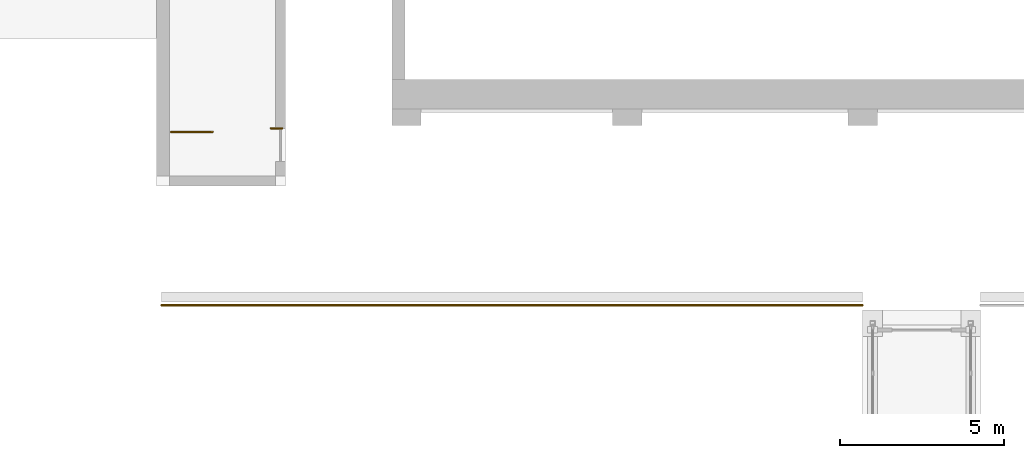
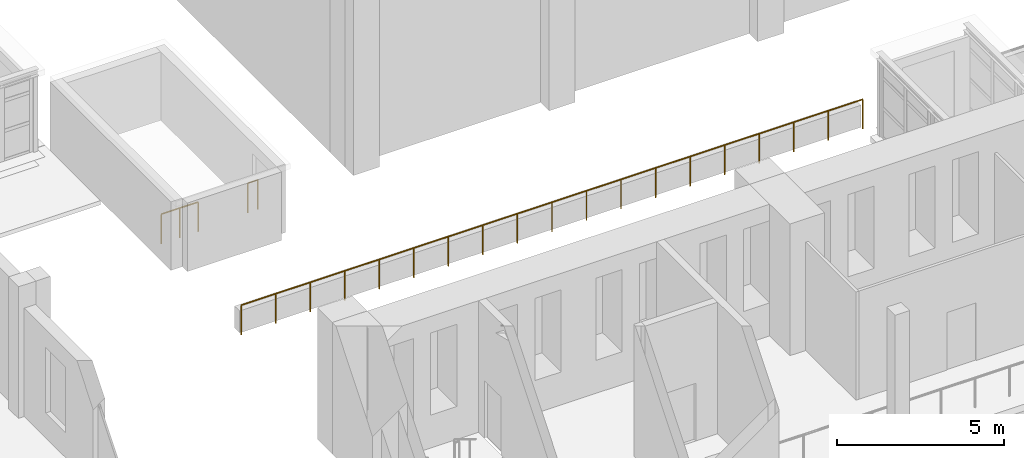
# One storey, part 119 of 131: 3 railings.
"""IFC4 building model written with IfcOpenShell, lengths in metres."""

from ifc_helpers import new_model, si_unit, direction, frame, origin, origin_2d, place, context, subcontext, project, spatial, circle, extrude, material, type_object, element, save


model = new_model("IFC4")

# Units and contexts
model_context = context("Model", 3, precision=1e-05, world=origin(), true_north=direction((0.0, 1.0)))
body_context = subcontext(model_context, "Body", "Model", "MODEL_VIEW")
ifc_project = project(units=[si_unit("LENGTHUNIT", "METRE"), si_unit("AREAUNIT", "SQUARE_METRE"), si_unit("VOLUMEUNIT", "CUBIC_METRE"), si_unit("PLANEANGLEUNIT", "RADIAN"), si_unit("MASSUNIT", "GRAM", prefix="KILO")], contexts=[model_context])

# Site, building, storey
site_placement = place(None, origin())
site = spatial("IfcSite", under=ifc_project, at=site_placement, CompositionType="ELEMENT")
building_placement = place(site_placement, origin())
building = spatial("IfcBuilding", under=site, at=building_placement, Name="Alderwick Market Hall", CompositionType="ELEMENT")
storey_placement = place(building_placement, frame((0.0, 0.0, 4.800048828125)))
storey = spatial("IfcBuildingStorey", under=building, at=storey_placement, Name="L00", CompositionType="ELEMENT", Elevation=4.800048828125)

# Railings
ifc_material = material(Name="Steel ASTM A500 Grade C", Category="steel")
railing_type = type_object("IfcRailingType", Name="A Roof Guard 1100", PredefinedType="GUARDRAIL", material=ifc_material)
railing_1_placement = place(storey_placement, frame((54.25, 120.760009765625, 0.0)))
element("IfcRailing", 1, at=railing_1_placement, inside=storey, type_object=railing_type, Name="Stair guard", PredefinedType="GUARDRAIL", context=body_context, shape_type="SweptSolid", body=[
    extrude(circle(Radius=0.02392578125, at=origin_2d()), frame((0.0, 0.0, 1.076171875), z_axis=(-1.0, 0.0, 0.0), x_axis=(0.0, -1.0, 0.0)), (0.0, 0.0, 1.0), 0.35009765625),
    extrude(circle(Radius=0.02099609375, at=origin_2d()), origin(), (0.0, 0.0, 1.0), 1.052001953125),
    extrude(circle(Radius=0.02099609375, at=origin_2d()), frame((-0.35009765625, 0.0, 0.0)), (0.0, 0.0, 1.0), 1.052001953125),
])
railing_2_placement = place(storey_placement, frame((50.550048828125, 115.35009765625, 0.0)))
element("IfcRailing", 2, at=railing_2_placement, inside=storey, type_object=railing_type, Name="Roof guard", PredefinedType="GUARDRAIL", context=body_context, shape_type="SweptSolid", body=[
    extrude(circle(Radius=0.02392578125, at=origin_2d()), frame((0.0, 0.0, 1.076171875), z_axis=(1.0, 0.0, 0.0), x_axis=(0.0, 1.0, 0.0)), (0.0, 0.0, 1.0), 21.449951171875),
    extrude(circle(Radius=0.02099609375, at=origin_2d()), origin(), (0.0, 0.0, 1.0), 1.052001953125),
    extrude(circle(Radius=0.02099609375, at=origin_2d()), frame((1.191650390625, 0.0, 0.0)), (0.0, 0.0, 1.0), 1.052001953125),
    extrude(circle(Radius=0.02099609375, at=origin_2d()), frame((2.38330078125, 0.0, 0.0)), (0.0, 0.0, 1.0), 1.052001953125),
    extrude(circle(Radius=0.02099609375, at=origin_2d()), frame((3.574951171875, 0.0, 0.0)), (0.0, 0.0, 1.0), 1.052001953125),
    extrude(circle(Radius=0.02099609375, at=origin_2d()), frame((4.7666015625, 0.0, 0.0)), (0.0, 0.0, 1.0), 1.052001953125),
    extrude(circle(Radius=0.02099609375, at=origin_2d()), frame((5.958251953125, 0.0, 0.0)), (0.0, 0.0, 1.0), 1.052001953125),
    extrude(circle(Radius=0.02099609375, at=origin_2d()), frame((7.14990234375, 0.0, 0.0)), (0.0, 0.0, 1.0), 1.052001953125),
    extrude(circle(Radius=0.02099609375, at=origin_2d()), frame((8.341552734375, 0.0, 0.0)), (0.0, 0.0, 1.0), 1.052001953125),
    extrude(circle(Radius=0.02099609375, at=origin_2d()), frame((9.533203125, 0.0, 0.0)), (0.0, 0.0, 1.0), 1.052001953125),
    extrude(circle(Radius=0.02099609375, at=origin_2d()), frame((10.72509765625, 0.0, 0.0)), (0.0, 0.0, 1.0), 1.052001953125),
    extrude(circle(Radius=0.02099609375, at=origin_2d()), frame((11.916748046875, 0.0, 0.0)), (0.0, 0.0, 1.0), 1.052001953125),
    extrude(circle(Radius=0.02099609375, at=origin_2d()), frame((13.1083984375, 0.0, 0.0)), (0.0, 0.0, 1.0), 1.052001953125),
    extrude(circle(Radius=0.02099609375, at=origin_2d()), frame((14.300048828125, 0.0, 0.0)), (0.0, 0.0, 1.0), 1.052001953125),
    extrude(circle(Radius=0.02099609375, at=origin_2d()), frame((15.49169921875, 0.0, 0.0)), (0.0, 0.0, 1.0), 1.052001953125),
    extrude(circle(Radius=0.02099609375, at=origin_2d()), frame((16.683349609375, 0.0, 0.0)), (0.0, 0.0, 1.0), 1.052001953125),
    extrude(circle(Radius=0.02099609375, at=origin_2d()), frame((17.875, 0.0, 0.0)), (0.0, 0.0, 1.0), 1.052001953125),
    extrude(circle(Radius=0.02099609375, at=origin_2d()), frame((19.066650390625, 0.0, 0.0)), (0.0, 0.0, 1.0), 1.052001953125),
    extrude(circle(Radius=0.02099609375, at=origin_2d()), frame((20.25830078125, 0.0, 0.0)), (0.0, 0.0, 1.0), 1.052001953125),
    extrude(circle(Radius=0.02099609375, at=origin_2d()), frame((21.449951171875, 0.0, 0.0)), (0.0, 0.0, 1.0), 1.052001953125),
])
railing_3_placement = place(storey_placement, frame((50.85009765625, 120.64990234375, 0.0)))
element("IfcRailing", 3, at=railing_3_placement, inside=storey, type_object=railing_type, Name="Stair well guard", PredefinedType="GUARDRAIL", context=body_context, shape_type="SweptSolid", body=[
    extrude(circle(Radius=0.02392578125, at=origin_2d()), frame((0.0, 0.0, 1.076171875), z_axis=(1.0, 0.0, 0.0), x_axis=(0.0, 1.0, 0.0)), (0.0, 0.0, 1.0), 1.27001953125),
    extrude(circle(Radius=0.02099609375, at=origin_2d()), origin(), (0.0, 0.0, 1.0), 1.052001953125),
    extrude(circle(Radius=0.02099609375, at=origin_2d()), frame((0.635009765625, 0.0, 0.0)), (0.0, 0.0, 1.0), 1.052001953125),
    extrude(circle(Radius=0.02099609375, at=origin_2d()), frame((1.27001953125, 0.0, 0.0)), (0.0, 0.0, 1.0), 1.052001953125),
])

save(model, "model.ifc")
